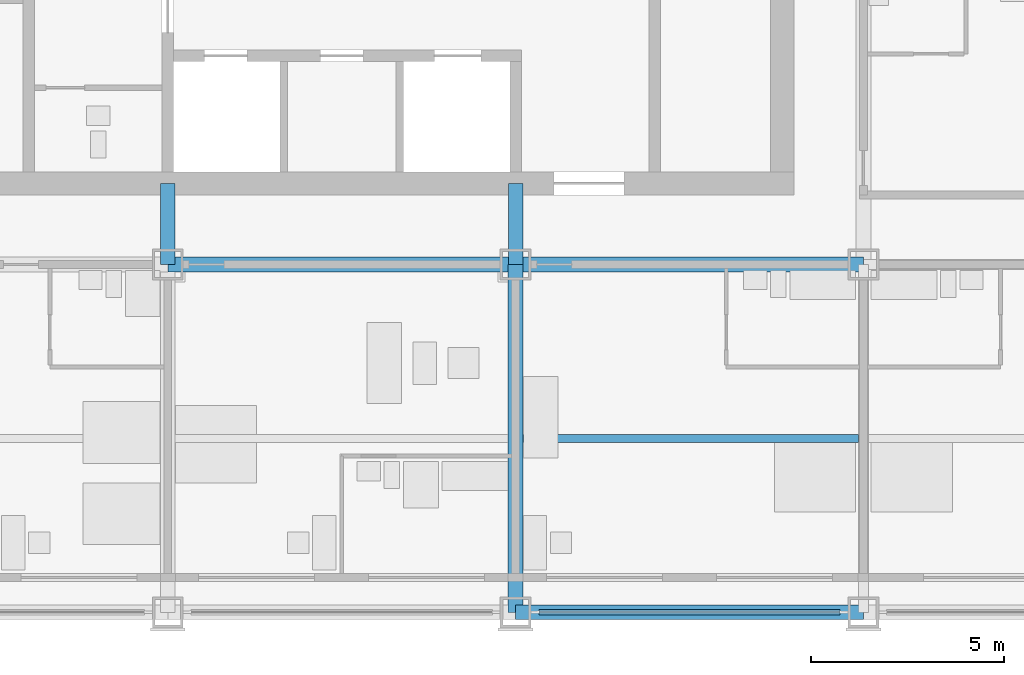
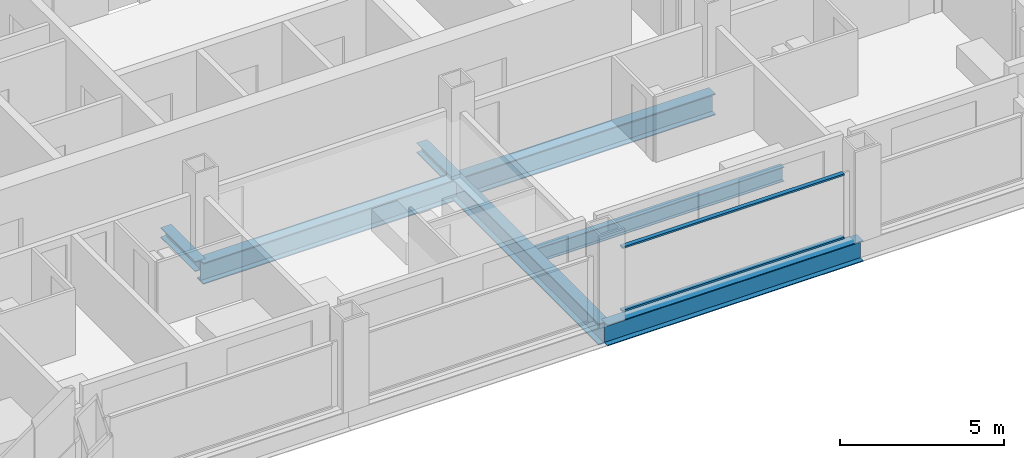
# One storey, part 3 of 13: 5 beams, 4 members, 1 element without a shape of its own.
"""IFC4 building model written with IfcOpenShell, lengths in metres."""

from ifc_helpers import new_model, si_unit, direction, frame, origin, origin_2d, place, context, subcontext, project, spatial, rectangle, i_section, extrude, material, material_profile, profile_set, type_object, element, aggregate, save


model = new_model("IFC4")

# Units and contexts
model_context = context("Model", 3, precision=1e-05, world=origin(), true_north=direction((0.0, 1.0)))
body_context = subcontext(model_context, "Body", "Model", "MODEL_VIEW")
ifc_project = project(units=[si_unit("LENGTHUNIT", "METRE"), si_unit("AREAUNIT", "SQUARE_METRE"), si_unit("VOLUMEUNIT", "CUBIC_METRE"), si_unit("PLANEANGLEUNIT", "RADIAN"), si_unit("MASSUNIT", "GRAM", prefix="KILO")], contexts=[model_context])

# Site, building, storey
site_placement = place(None, origin())
site = spatial("IfcSite", under=ifc_project, at=site_placement, CompositionType="ELEMENT")
building_placement = place(site_placement, origin())
building = spatial("IfcBuilding", under=site, at=building_placement, Name="Loomwork Tower", CompositionType="ELEMENT")
storey_placement = place(building_placement, frame((0.0, 0.0, 187.60009765625)))
storey = spatial("IfcBuildingStorey", under=building, at=storey_placement, Name="L51", CompositionType="ELEMENT", Elevation=187.60009765625)

# Beams
ifc_material_1 = material(Name="Steel ASTM A992", Category="steel")
ifc_material_profile_1 = material_profile(ifc_material_1, i_section(OverallWidth=0.383544921875, OverallDepth=0.794921875, WebThickness=0.02099609375, FlangeThickness=0.0380859375, at=origin_2d()), Name="W30x235")
ifc_profile_set_1 = profile_set([ifc_material_profile_1], Name="Steel ASTM A992")
beam_type_1 = type_object("IfcBeamType", Name="CORE FLANK GIRDER W30x235", PredefinedType="BEAM", material=ifc_profile_set_1)
for number, where, z_axis, x_axis, name in (
    (1, (18.0, 9.0, -0.59765625), (1.0, 0.0, 0.0), (0.0, 1.0, 0.0), "Core Flank Girder E/4-E/5 L51"),
    (2, (27.0, 9.0, -0.59765625), (1.0, 0.0, 0.0), (0.0, 1.0, 0.0), "Core Flank Girder E/5-E/6 L51"),
    (3, (27.0, 0.0, -0.59765625), (0.0, 1.0, 0.0), (-1.0, 0.0, 0.0), "Core Flank Girder D/5-E/5 L51"),
):
    element("IfcBeam", number, at=place(storey_placement, frame(where, z_axis=z_axis, x_axis=x_axis)), inside=storey, type_object=beam_type_1, Name=name, PredefinedType="BEAM", context=body_context, shape_type="SweptSolid", body=[
        extrude(i_section(OverallWidth=0.383544921875, OverallDepth=0.794921875, WebThickness=0.02099609375, FlangeThickness=0.0380859375, at=origin_2d()), origin(), (0.0, 0.0, 1.0), 9.0),
    ])

# Members
ifc_material_2 = material(Name="Steel ASTM A992", Category="steel")
ifc_material_profile_2 = material_profile(ifc_material_2, i_section(OverallWidth=0.373291015625, OverallDepth=0.373291015625, WebThickness=0.016357421875, FlangeThickness=0.026123046875, at=origin_2d()), Name="W14x132")
ifc_profile_set_2 = profile_set([ifc_material_profile_2], Name="Steel ASTM A992")
member_type_1 = type_object("IfcMemberType", Name="CORE LINK STRUT W14x132", PredefinedType="STRUT", material=ifc_profile_set_2)
for number, where, z_axis, x_axis, name in (
    (4, (27.0, 9.0, -0.38671875), (0.0, 1.0, 0.0), (-1.0, 0.0, 0.0), "Core link strut E/5-27.000,11.100 L51"),
    (5, (18.0, 9.0, -0.38671875), (0.0, 1.0, 0.0), (-1.0, 0.0, 0.0), "Core link strut E/4-18.000,11.100 L51"),
):
    element("IfcMember", number, at=place(storey_placement, frame(where, z_axis=z_axis, x_axis=x_axis)), inside=storey, type_object=member_type_1, Name=name, PredefinedType="STRUT", context=body_context, shape_type="SweptSolid", body=[
        extrude(i_section(OverallWidth=0.373291015625, OverallDepth=0.373291015625, WebThickness=0.016357421875, FlangeThickness=0.026123046875, at=origin_2d()), origin(), (0.0, 0.0, 1.0), 2.10009765625),
    ])

# Beam
ifc_material_3 = material(Name="Steel ASTM A992", Category="steel")
ifc_material_profile_3 = material_profile(ifc_material_3, i_section(OverallWidth=0.2109375, OverallDepth=0.53857421875, WebThickness=0.011474609375, FlangeThickness=0.018798828125, at=origin_2d()), Name="W21x73")
ifc_profile_set_3 = profile_set([ifc_material_profile_3], Name="Steel ASTM A992")
beam_type_2 = type_object("IfcBeamType", Name="FLOOR JOIST W21x73", PredefinedType="JOIST", material=ifc_profile_set_3)
beam_1_placement = place(storey_placement, frame((27.19091796875, 4.5, -0.46923828125), z_axis=(1.0, 0.0, 0.0), x_axis=(0.0, 1.0, 0.0)))
element("IfcBeam", 6, at=beam_1_placement, inside=storey, type_object=beam_type_2, Name="Floor Joist 27.000,4.500-36.000,4.500 L51", PredefinedType="JOIST", context=body_context, shape_type="SweptSolid", body=[
    extrude(i_section(OverallWidth=0.2109375, OverallDepth=0.53857421875, WebThickness=0.011474609375, FlangeThickness=0.018798828125, at=origin_2d()), origin(), (0.0, 0.0, 1.0), 8.676025390625),
])

# Curtain wall, members
ifc_material_4 = material(Name="Aluminium curtain wall frame", Category="aluminium")
curtain_wall_type = type_object("IfcCurtainWallType", Name="Outer skin glazing hotel", PredefinedType="NOTDEFINED", material=ifc_material_4)
curtain_wall_placement = place(storey_placement, origin())
curtain_wall = element("IfcCurtainWall", 7, at=curtain_wall_placement, inside=storey, type_object=curtain_wall_type, Name="Outer skin glazing hotel cw/S-27", PredefinedType="NOTDEFINED")
ifc_material_5 = material(Name="Aluminium curtain wall frame", Category="aluminium")
ifc_material_profile_4 = material_profile(ifc_material_5, rectangle(XDim=0.14990234375, YDim=0.06494140625, at=origin_2d()), Name="AL 65x150")
ifc_profile_set_4 = profile_set([ifc_material_profile_4], Name="Aluminium curtain wall frame")
member_type_2 = type_object("IfcMemberType", Name="Outer skin glazing hotel transom", PredefinedType="USERDEFINED", material=ifc_profile_set_4)
member_1_placement = place(storey_placement, frame((27.60009765625, 0.0, 0.032470703125), z_axis=(1.0, 0.0, 0.0), x_axis=(0.0, 1.0, 0.0)))
member_1 = element("IfcMember", 8, at=member_1_placement, type_object=member_type_2, Name="CW1 transom 1.1", ObjectType="TRANSOM", PredefinedType="USERDEFINED", context=body_context, shape_type="SweptSolid", body=[
    extrude(rectangle(XDim=0.14990234375, YDim=0.06494140625, at=origin_2d()), origin(), (0.0, 0.0, 1.0), 7.7998046875),
])
member_2_placement = place(storey_placement, frame((27.60009765625, 0.0, 2.3876953125), z_axis=(1.0, 0.0, 0.0), x_axis=(0.0, 1.0, 0.0)))
member_2 = element("IfcMember", 9, at=member_2_placement, type_object=member_type_2, Name="CW1 transom 1.2", ObjectType="TRANSOM", PredefinedType="USERDEFINED", context=body_context, shape_type="SweptSolid", body=[
    extrude(rectangle(XDim=0.14990234375, YDim=0.06494140625, at=origin_2d()), origin(), (0.0, 0.0, 1.0), 7.7998046875),
])
aggregate(curtain_wall, [member_1, member_2])

# Beam
ifc_material_6 = material(Name="Steel ASTM A992", Category="steel")
ifc_material_profile_5 = material_profile(ifc_material_6, i_section(OverallWidth=0.381103515625, OverallDepth=0.77978515625, WebThickness=0.01806640625, FlangeThickness=0.0302734375, at=origin_2d()), Name="W30x191")
ifc_profile_set_5 = profile_set([ifc_material_profile_5], Name="Steel ASTM A992")
beam_type_3 = type_object("IfcBeamType", Name="SPANDREL GIRDER W30x191", PredefinedType="SPANDREL", material=ifc_profile_set_5)
beam_2_placement = place(storey_placement, frame((27.0, 0.0, -0.590087890625), z_axis=(1.0, 0.0, 0.0), x_axis=(0.0, 1.0, 0.0)))
element("IfcBeam", 10, at=beam_2_placement, inside=storey, type_object=beam_type_3, Name="Spandrel Girder D/5-D/6 L51", PredefinedType="SPANDREL", context=body_context, shape_type="SweptSolid", body=[
    extrude(i_section(OverallWidth=0.381103515625, OverallDepth=0.77978515625, WebThickness=0.01806640625, FlangeThickness=0.0302734375, at=origin_2d()), origin(), (0.0, 0.0, 1.0), 9.0),
])

save(model, "model.ifc")
